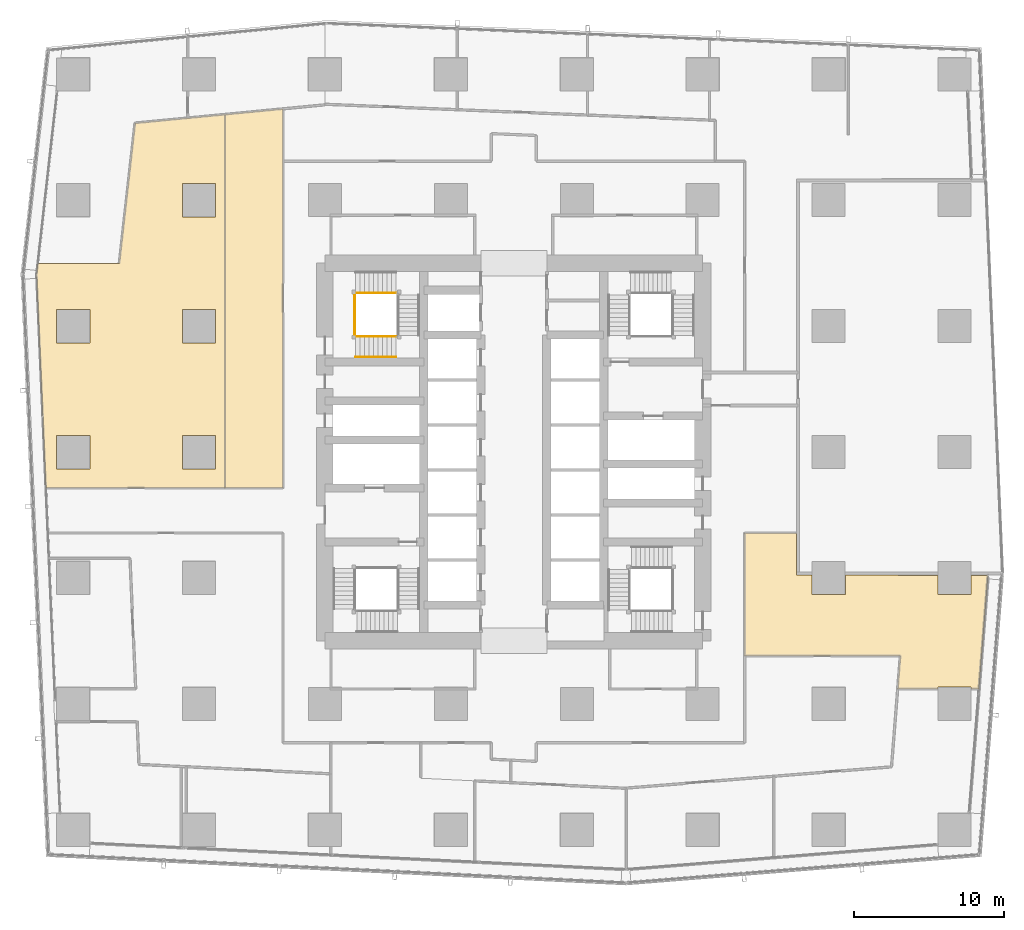
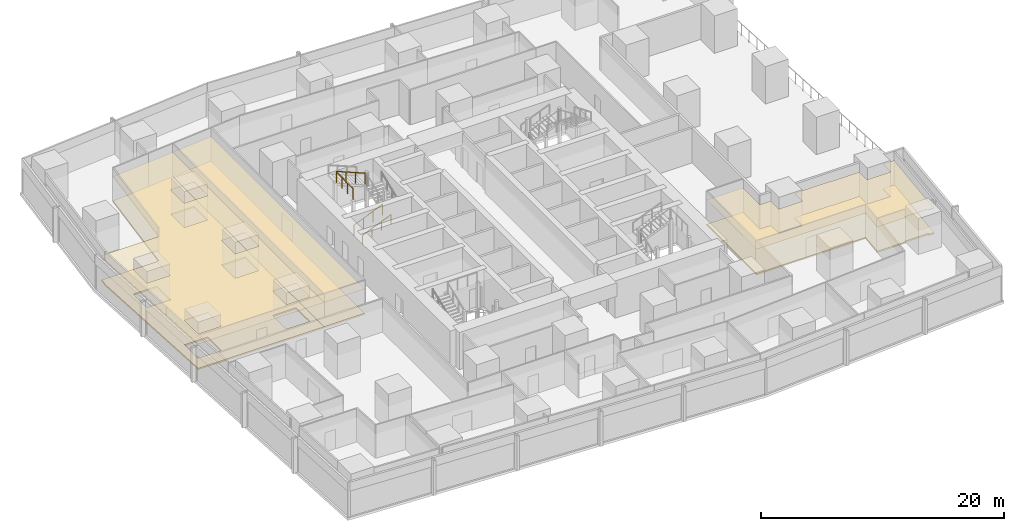
# One storey, part 38 of 42: 6 coverings, 4 railings.
"""IFC4 building model written with IfcOpenShell, lengths in metres."""

from ifc_helpers import new_model, si_unit, direction, frame, origin, origin_2d, place, context, subcontext, project, spatial, polyline, circle, outline, extrude, material, layer, layer_set, type_object, element, save


model = new_model("IFC4")

# Units and contexts
model_context = context("Model", 3, precision=1e-05, world=origin(), true_north=direction((0.0, 1.0)))
body_context = subcontext(model_context, "Body", "Model", "MODEL_VIEW")
ifc_project = project(units=[si_unit("LENGTHUNIT", "METRE"), si_unit("AREAUNIT", "SQUARE_METRE"), si_unit("VOLUMEUNIT", "CUBIC_METRE"), si_unit("PLANEANGLEUNIT", "RADIAN"), si_unit("MASSUNIT", "GRAM", prefix="KILO")], contexts=[model_context])

# Site, building, storey
site_placement = place(None, origin())
site = spatial("IfcSite", under=ifc_project, at=site_placement, CompositionType="ELEMENT")
building_placement = place(site_placement, origin())
building = spatial("IfcBuilding", under=site, at=building_placement, Name="Rekha Terrace Tower", CompositionType="ELEMENT")
storey_placement = place(building_placement, frame((0.0, 0.0, 70.39990234375)))
storey = spatial("IfcBuildingStorey", under=building, at=storey_placement, Name="L17", CompositionType="ELEMENT", Elevation=70.39990234375)

# Coverings
ifc_material_1 = material(Name="Mineral fibre tile in exposed grid", Category="finish")
ifc_layer_1 = layer(ifc_material_1, 0.02001953125)
ifc_layer_set_1 = layer_set([ifc_layer_1], Name="Mineral fibre tile in exposed grid")
covering_type_1 = type_object("IfcCoveringType", Name="CL1 600x1200 office grid ceiling", PredefinedType="CEILING", material=ifc_layer_set_1)
covering_1_placement = place(storey_placement, frame((0.0, 0.0, 2.580078125)))
element("IfcCovering", 1, at=covering_1_placement, inside=storey, type_object=covering_type_1, Name="Ceiling L17-05", PredefinedType="CEILING", context=body_context, shape_type="SweptSolid", body=[
    extrude(outline(polyline([(68.31494140625, 17.798095703125), (68.824951171875, 17.798095703125), (69.426025390625, 25.3701171875), (68.31494140625, 25.3701171875), (68.31494140625, 24.0849609375), (66.0849609375, 24.0849609375), (66.0849609375, 25.3701171875), (63.426025390625, 25.3701171875), (63.426025390625, 25.402099609375), (59.9150390625, 25.402099609375), (59.9150390625, 24.0849609375), (57.68505859375, 24.0849609375), (57.68505859375, 25.402099609375), (56.64892578125, 25.402099609375), (56.64892578125, 28.199951171875), (53.199951171875, 28.199951171875), (53.199951171875, 20.001953125), (63.5830078125, 20.001953125), (63.407958984375, 17.798095703125), (66.0849609375, 17.798095703125), (66.0849609375, 17.9150390625), (68.31494140625, 17.9150390625), (68.31494140625, 17.798095703125)])), origin(), (0.0, 0.0, 1.0), 0.02001953125),
])
covering_2_placement = place(storey_placement, frame((0.0, 0.0, 2.580078125)))
element("IfcCovering", 2, at=covering_2_placement, inside=storey, type_object=covering_type_1, Name="Ceiling L17-16", PredefinedType="CEILING", context=body_context, shape_type="SweptSolid", body=[
    extrude(outline(polyline([(11.48095703125, 46.19091796875), (6.047119140625, 46.19091796875), (5.962890625, 45.444091796875), (6.4150390625, 35.09912109375), (6.4150390625, 35.097900390625), (6.5859375, 31.199951171875), (18.531982421875, 31.199951171875), (18.531982421875, 56.1220703125), (16.052978515625, 55.883056640625), (12.531982421875, 55.5439453125), (11.48095703125, 46.19091796875)]), holes=[polyline([(17.9150390625, 32.485107421875), (15.68505859375, 32.485107421875), (15.68505859375, 34.715087890625), (17.9150390625, 34.715087890625), (17.9150390625, 32.485107421875)]), polyline([(17.9150390625, 40.885009765625), (15.68505859375, 40.885009765625), (15.68505859375, 43.114990234375), (17.9150390625, 43.114990234375), (17.9150390625, 40.885009765625)]), polyline([(17.9150390625, 49.284912109375), (15.68505859375, 49.284912109375), (15.68505859375, 51.514892578125), (17.9150390625, 51.514892578125), (17.9150390625, 49.284912109375)]), polyline([(9.514892578125, 32.485107421875), (7.284912109375, 32.485107421875), (7.284912109375, 34.715087890625), (9.514892578125, 34.715087890625), (9.514892578125, 32.485107421875)]), polyline([(9.514892578125, 40.885009765625), (7.284912109375, 40.885009765625), (7.284912109375, 43.114990234375), (9.514892578125, 43.114990234375), (9.514892578125, 40.885009765625)])]), origin(), (0.0, 0.0, 1.0), 0.02001953125),
])
covering_3_placement = place(storey_placement, frame((0.0, 0.0, 2.580078125)))
element("IfcCovering", 3, at=covering_3_placement, inside=storey, type_object=covering_type_1, Name="Ceiling L17-17", PredefinedType="CEILING", context=body_context, shape_type="SweptSolid", body=[
    extrude(outline(polyline([(18.531982421875, 31.199951171875), (22.39990234375, 31.199951171875), (22.39990234375, 56.493896484375), (18.531982421875, 56.1220703125), (18.531982421875, 31.199951171875)])), origin(), (0.0, 0.0, 1.0), 0.02001953125),
])

# Railings
ifc_material_2 = material(Name="Stainless steel balustrade", Category="steel")
railing_type_1 = type_object("IfcRailingType", Name="GR1 1100 stair guard", PredefinedType="GUARDRAIL", material=ifc_material_2)
railing_1_placement = place(storey_placement, frame((27.25, 41.31494140625, 0.125)))
element("IfcRailing", 4, at=railing_1_placement, inside=storey, type_object=railing_type_1, Name="Guard ST4 L17 flight 1", PredefinedType="GUARDRAIL", context=body_context, shape_type="SweptSolid", body=[
    extrude(circle(Radius=0.02392578125, at=origin_2d()), frame((0.0, 0.0, 1.076171875), z_axis=(0.923074453586, 0.0, 0.384621311341), x_axis=(0.0, 1.0, 0.0)), (0.0, 0.0, 1.0), 2.925048828125),
    extrude(circle(Radius=0.02099609375, at=origin_2d()), origin(), (0.0, 0.0, 1.0), 1.052001953125),
    extrude(circle(Radius=0.02099609375, at=origin_2d()), frame((0.89990234375, 0.0, 0.375)), (0.0, 0.0, 1.0), 1.052001953125),
    extrude(circle(Radius=0.02099609375, at=origin_2d()), frame((1.800048828125, 0.0, 0.75)), (0.0, 0.0, 1.0), 1.052001953125),
    extrude(circle(Radius=0.02099609375, at=origin_2d()), frame((2.699951171875, 0.0, 1.125)), (0.0, 0.0, 1.0), 1.052001953125),
])
railing_2_placement = place(storey_placement, frame((29.949951171875, 44.2099609375, 2.625)))
element("IfcRailing", 5, at=railing_2_placement, inside=storey, type_object=railing_type_1, Name="Guard ST4 L17 flight 3", PredefinedType="GUARDRAIL", context=body_context, shape_type="SweptSolid", body=[
    extrude(circle(Radius=0.02392578125, at=origin_2d()), frame((0.0, 0.0, 1.076171875), z_axis=(-0.923074453586, 0.0, 0.384621311341), x_axis=(0.0, -1.0, 0.0)), (0.0, 0.0, 1.0), 2.925048828125),
    extrude(circle(Radius=0.02099609375, at=origin_2d()), origin(), (0.0, 0.0, 1.0), 1.052001953125),
    extrude(circle(Radius=0.02099609375, at=origin_2d()), frame((-0.89990234375, 0.0, 0.375)), (0.0, 0.0, 1.0), 1.052001953125),
    extrude(circle(Radius=0.02099609375, at=origin_2d()), frame((-1.800048828125, 0.0, 0.75)), (0.0, 0.0, 1.0), 1.052001953125),
    extrude(circle(Radius=0.02099609375, at=origin_2d()), frame((-2.699951171875, 0.0, 1.125)), (0.0, 0.0, 1.0), 1.052001953125),
])
railing_3_placement = place(storey_placement, frame((27.18994140625, 41.375, 3.75)))
element("IfcRailing", 6, at=railing_3_placement, inside=storey, type_object=railing_type_1, Name="Guard ST4 L17 landing 4", PredefinedType="GUARDRAIL", context=body_context, shape_type="SweptSolid", body=[
    extrude(circle(Radius=0.02392578125, at=origin_2d()), frame((0.0, 0.0, 1.076171875), z_axis=(0.0, 1.0, 0.0), x_axis=(-1.0, 0.0, 0.0)), (0.0, 0.0, 1.0), 2.77490234375),
    extrude(circle(Radius=0.02099609375, at=origin_2d()), origin(), (0.0, 0.0, 1.0), 1.052001953125),
    extrude(circle(Radius=0.02099609375, at=origin_2d()), frame((0.0, 0.925048828125, 0.0)), (0.0, 0.0, 1.0), 1.052001953125),
    extrude(circle(Radius=0.02099609375, at=origin_2d()), frame((0.0, 1.849853515625, 0.0)), (0.0, 0.0, 1.0), 1.052001953125),
    extrude(circle(Radius=0.02099609375, at=origin_2d()), frame((0.0, 2.77490234375, 0.0)), (0.0, 0.0, 1.0), 1.052001953125),
])
ifc_material_3 = material(Name="Stainless steel tube", Category="steel")
railing_type_2 = type_object("IfcRailingType", Name="HR1 900 stair handrail", PredefinedType="HANDRAIL", material=ifc_material_3)
railing_4_placement = place(storey_placement, frame((27.25, 39.93505859375, 0.125)))
element("IfcRailing", 7, at=railing_4_placement, inside=storey, type_object=railing_type_2, Name="Handrail ST4 L17 flight 1", PredefinedType="HANDRAIL", context=body_context, shape_type="SweptSolid", body=[
    extrude(circle(Radius=0.02392578125, at=origin_2d()), frame((0.0, 0.0, 0.8759765625), z_axis=(0.923074453586, 0.0, 0.384621311341), x_axis=(0.0, 1.0, 0.0)), (0.0, 0.0, 1.0), 2.925048828125),
    extrude(circle(Radius=0.02099609375, at=origin_2d()), origin(), (0.0, 0.0, 1.0), 0.851806640625),
    extrude(circle(Radius=0.02099609375, at=origin_2d()), frame((0.89990234375, 0.0, 0.375)), (0.0, 0.0, 1.0), 0.851806640625),
    extrude(circle(Radius=0.02099609375, at=origin_2d()), frame((1.800048828125, 0.0, 0.75)), (0.0, 0.0, 1.0), 0.851806640625),
    extrude(circle(Radius=0.02099609375, at=origin_2d()), frame((2.699951171875, 0.0, 1.125)), (0.0, 0.0, 1.0), 0.851806640625),
])

# Coverings
ifc_material_4 = material(Name="Calcium sulphate panels on steel pedestals", Category="steel")
ifc_layer_2 = layer(ifc_material_4, 0.14990234375)
ifc_layer_set_2 = layer_set([ifc_layer_2], Name="Calcium sulphate panels on steel pedestals")
covering_type_2 = type_object("IfcCoveringType", Name="RF1 150 raised access floor", PredefinedType="FLOORING", material=ifc_layer_set_2)
covering_4_placement = place(storey_placement, origin())
element("IfcCovering", 8, at=covering_4_placement, inside=storey, type_object=covering_type_2, Name="Raised floor L17-05", PredefinedType="FLOORING", context=body_context, shape_type="SweptSolid", body=[
    extrude(outline(polyline([(68.31494140625, 17.798095703125), (68.824951171875, 17.798095703125), (69.426025390625, 25.3701171875), (68.31494140625, 25.3701171875), (68.31494140625, 24.0849609375), (66.0849609375, 24.0849609375), (66.0849609375, 25.3701171875), (63.426025390625, 25.3701171875), (63.426025390625, 25.402099609375), (59.9150390625, 25.402099609375), (59.9150390625, 24.0849609375), (57.68505859375, 24.0849609375), (57.68505859375, 25.402099609375), (56.64892578125, 25.402099609375), (56.64892578125, 28.199951171875), (53.199951171875, 28.199951171875), (53.199951171875, 20.001953125), (63.5830078125, 20.001953125), (63.407958984375, 17.798095703125), (66.0849609375, 17.798095703125), (66.0849609375, 17.9150390625), (68.31494140625, 17.9150390625), (68.31494140625, 17.798095703125)])), origin(), (0.0, 0.0, 1.0), 0.150146484375),
])
covering_5_placement = place(storey_placement, origin())
element("IfcCovering", 9, at=covering_5_placement, inside=storey, type_object=covering_type_2, Name="Raised floor L17-16", PredefinedType="FLOORING", context=body_context, shape_type="SweptSolid", body=[
    extrude(outline(polyline([(11.48095703125, 46.19091796875), (6.047119140625, 46.19091796875), (5.962890625, 45.444091796875), (6.4150390625, 35.09912109375), (6.4150390625, 35.097900390625), (6.5859375, 31.199951171875), (18.531982421875, 31.199951171875), (18.531982421875, 56.1220703125), (16.052978515625, 55.883056640625), (12.531982421875, 55.5439453125), (11.48095703125, 46.19091796875)]), holes=[polyline([(17.9150390625, 32.485107421875), (15.68505859375, 32.485107421875), (15.68505859375, 34.715087890625), (17.9150390625, 34.715087890625), (17.9150390625, 32.485107421875)]), polyline([(17.9150390625, 40.885009765625), (15.68505859375, 40.885009765625), (15.68505859375, 43.114990234375), (17.9150390625, 43.114990234375), (17.9150390625, 40.885009765625)]), polyline([(17.9150390625, 49.284912109375), (15.68505859375, 49.284912109375), (15.68505859375, 51.514892578125), (17.9150390625, 51.514892578125), (17.9150390625, 49.284912109375)]), polyline([(9.514892578125, 32.485107421875), (7.284912109375, 32.485107421875), (7.284912109375, 34.715087890625), (9.514892578125, 34.715087890625), (9.514892578125, 32.485107421875)]), polyline([(9.514892578125, 40.885009765625), (7.284912109375, 40.885009765625), (7.284912109375, 43.114990234375), (9.514892578125, 43.114990234375), (9.514892578125, 40.885009765625)])]), origin(), (0.0, 0.0, 1.0), 0.150146484375),
])
covering_6_placement = place(storey_placement, origin())
element("IfcCovering", 10, at=covering_6_placement, inside=storey, type_object=covering_type_2, Name="Raised floor L17-17", PredefinedType="FLOORING", context=body_context, shape_type="SweptSolid", body=[
    extrude(outline(polyline([(18.531982421875, 31.199951171875), (22.39990234375, 31.199951171875), (22.39990234375, 56.493896484375), (18.531982421875, 56.1220703125), (18.531982421875, 31.199951171875)])), origin(), (0.0, 0.0, 1.0), 0.150146484375),
])

save(model, "model.ifc")
